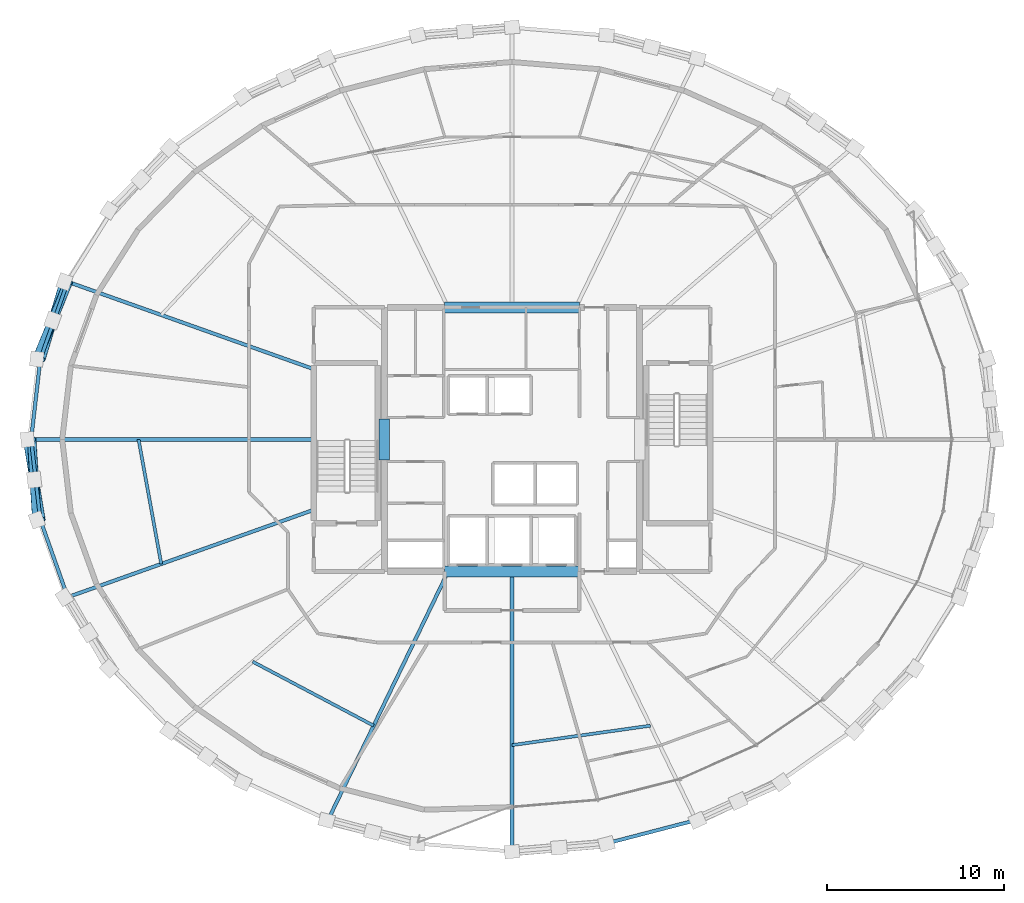
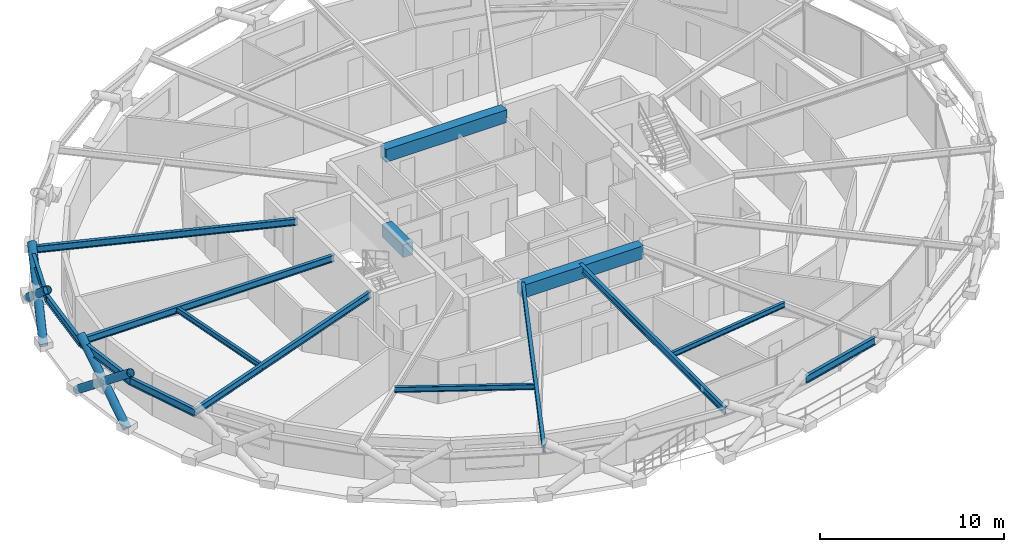
# One storey, part 3 of 16: 16 beams, 6 members.
"""IFC4 building model written with IfcOpenShell, lengths in metres."""

from ifc_helpers import new_model, si_unit, direction, frame, origin, origin_2d, place, context, subcontext, project, spatial, rectangle, hollow_circle, i_section, extrude, material, material_profile, profile_set, type_object, element, save


model = new_model("IFC4")

# Units and contexts
model_context = context("Model", 3, precision=1e-05, world=origin(), true_north=direction((0.0, 1.0)))
body_context = subcontext(model_context, "Body", "Model", "MODEL_VIEW")
ifc_project = project(units=[si_unit("LENGTHUNIT", "METRE"), si_unit("AREAUNIT", "SQUARE_METRE"), si_unit("VOLUMEUNIT", "CUBIC_METRE"), si_unit("PLANEANGLEUNIT", "RADIAN"), si_unit("MASSUNIT", "GRAM", prefix="KILO")], contexts=[model_context])

# Site, building, storey
site_placement = place(None, origin())
site = spatial("IfcSite", under=ifc_project, at=site_placement, CompositionType="ELEMENT")
building_placement = place(site_placement, origin())
building = spatial("IfcBuilding", under=site, at=building_placement, Name="Veldorina Hangang Commons", CompositionType="ELEMENT")
storey_placement = place(building_placement, frame((0.0, 0.0, 185.60009765625)))
storey = spatial("IfcBuildingStorey", under=building, at=storey_placement, Name="L48", CompositionType="ELEMENT", Elevation=185.60009765625)

# Beams
ifc_material_1 = material(Name="Concrete C60/75", Category="concrete")
ifc_material_profile_1 = material_profile(ifc_material_1, rectangle(XDim=0.60009765625, YDim=0.85009765625, at=origin_2d()), Name="RC-CB-600x850")
ifc_profile_set_1 = profile_set([ifc_material_profile_1], Name="Concrete C60/75")
beam_type_1 = type_object("IfcBeamType", Name="BM-CB850", PredefinedType="LINTEL", material=ifc_profile_set_1)
beam_1_placement = place(storey_placement, frame((24.800048828125, 22.85009765625, 2.9248046875), z_axis=(0.0, 1.0, 0.0), x_axis=(-1.0, 0.0, 0.0)))
element("IfcBeam", 1, at=beam_1_placement, inside=storey, type_object=beam_type_1, Name="L48 W core coupling lintel beam", PredefinedType="LINTEL", context=body_context, shape_type="SweptSolid", body=[
    extrude(rectangle(XDim=0.60009765625, YDim=0.85009765625, at=origin_2d()), origin(), (0.0, 0.0, 1.0), 2.2998046875),
])
for number, where, z_axis, x_axis, name in (
    (2, (28.199951171875, 16.550048828125, 2.9248046875), (1.0, 0.0, 0.0), (0.0, 1.0, 0.0), "L48 south core coupling beam"),
    (3, (28.199951171875, 31.449951171875, 2.9248046875), (1.0, 0.0, 0.0), (0.0, 1.0, 0.0), "L48 north core coupling beam"),
):
    element("IfcBeam", number, at=place(storey_placement, frame(where, z_axis=z_axis, x_axis=x_axis)), inside=storey, type_object=beam_type_1, Name=name, PredefinedType="LINTEL", context=body_context, shape_type="SweptSolid", body=[
        extrude(rectangle(XDim=0.60009765625, YDim=0.85009765625, at=origin_2d()), origin(), (0.0, 0.0, 1.0), 7.60009765625),
    ])
ifc_material_2 = material(Name="Steel SM355-TMC", Category="steel")
ifc_material_profile_2 = material_profile(ifc_material_2, i_section(OverallWidth=0.199951171875, OverallDepth=0.449951171875, WebThickness=0.009033203125, FlangeThickness=0.013916015625, FilletRadius=0.01611328125, at=origin_2d()), Name="H-450x200x9x14")
ifc_profile_set_2 = profile_set([ifc_material_profile_2], Name="Steel SM355-TMC")
beam_type_2 = type_object("IfcBeamType", Name="BM-FG450", PredefinedType="BEAM", material=ifc_profile_set_2)
beam_2_placement = place(storey_placement, frame((20.820068359375, 27.968017578125, 3.125), z_axis=(-0.942398107102, 0.334493359772, 0.0), x_axis=(-0.334493359772, -0.942398107102, 0.0)))
element("IfcBeam", 4, at=beam_2_placement, inside=storey, type_object=beam_type_2, Name="L48 radial floor girder 08", PredefinedType="BEAM", context=body_context, shape_type="SweptSolid", body=[
    extrude(i_section(OverallWidth=0.199951171875, OverallDepth=0.449951171875, WebThickness=0.009033203125, FlangeThickness=0.013916015625, FilletRadius=0.01611328125, at=origin_2d()), origin(), (0.0, 0.0, 1.0), 14.74072265625),
])
beam_3_placement = place(storey_placement, frame((20.820068359375, 24.0, 3.125), z_axis=(-1.0, 0.0, 0.0), x_axis=(0.0, -1.0, 0.0)))
element("IfcBeam", 5, at=beam_3_placement, inside=storey, type_object=beam_type_2, Name="L48 radial floor girder 09", PredefinedType="BEAM", context=body_context, shape_type="SweptSolid", body=[
    extrude(i_section(OverallWidth=0.199951171875, OverallDepth=0.449951171875, WebThickness=0.009033203125, FlangeThickness=0.013916015625, FilletRadius=0.01611328125, at=origin_2d()), origin(), (0.0, 0.0, 1.0), 15.957275390625),
])
beam_4_placement = place(storey_placement, frame((20.820068359375, 20.031982421875, 3.125), z_axis=(-0.942398107102, -0.334493359772, 0.0), x_axis=(0.334493359772, -0.942398107102, 0.0)))
element("IfcBeam", 6, at=beam_4_placement, inside=storey, type_object=beam_type_2, Name="L48 radial floor girder 10", PredefinedType="BEAM", context=body_context, shape_type="SweptSolid", body=[
    extrude(i_section(OverallWidth=0.199951171875, OverallDepth=0.449951171875, WebThickness=0.009033203125, FlangeThickness=0.013916015625, FilletRadius=0.01611328125, at=origin_2d()), origin(), (0.0, 0.0, 1.0), 14.74072265625),
])
beam_5_placement = place(storey_placement, frame((28.398681640625, 16.550048828125, 3.125), z_axis=(-0.435219448184, -0.900324403714, 0.0), x_axis=(0.900324403714, -0.435219448184, 0.0)))
element("IfcBeam", 7, at=beam_5_placement, inside=storey, type_object=beam_type_2, Name="L48 radial floor girder 12", PredefinedType="BEAM", context=body_context, shape_type="SweptSolid", body=[
    extrude(i_section(OverallWidth=0.199951171875, OverallDepth=0.449951171875, WebThickness=0.009033203125, FlangeThickness=0.013916015625, FilletRadius=0.01611328125, at=origin_2d()), origin(), (0.0, 0.0, 1.0), 15.5869140625),
])
beam_6_placement = place(storey_placement, frame((32.0, 16.550048828125, 3.125), z_axis=(0.0, -1.0, 0.0), x_axis=(1.0, 0.0, 0.0)))
element("IfcBeam", 8, at=beam_6_placement, inside=storey, type_object=beam_type_2, Name="L48 radial floor girder 13", PredefinedType="BEAM", context=body_context, shape_type="SweptSolid", body=[
    extrude(i_section(OverallWidth=0.199951171875, OverallDepth=0.449951171875, WebThickness=0.009033203125, FlangeThickness=0.013916015625, FilletRadius=0.01611328125, at=origin_2d()), origin(), (0.0, 0.0, 1.0), 15.80322265625),
])
ifc_material_profile_3 = material_profile(ifc_material_2, i_section(OverallWidth=0.175048828125, OverallDepth=0.35009765625, WebThickness=0.007080078125, FlangeThickness=0.010986328125, FilletRadius=0.012939453125, at=origin_2d()), Name="H-350x175x7x11")
ifc_profile_set_3 = profile_set([ifc_material_profile_3], Name="Steel SM355-TMC")
beam_type_3 = type_object("IfcBeamType", Name="BM-JST350", PredefinedType="JOIST", material=ifc_profile_set_3)
beam_7_placement = place(storey_placement, frame((10.926513671875, 24.0, 3.1748046875), z_axis=(0.179360795226, -0.983783362909, 0.0), x_axis=(0.983783362909, 0.179360795226, 0.0)))
element("IfcBeam", 9, at=beam_7_placement, inside=storey, type_object=beam_type_3, Name="L48 secondary floor joist 09", PredefinedType="JOIST", context=body_context, shape_type="SweptSolid", body=[
    extrude(i_section(OverallWidth=0.175048828125, OverallDepth=0.35009765625, WebThickness=0.007080078125, FlangeThickness=0.010986328125, FilletRadius=0.012939453125, at=origin_2d()), origin(), (0.0, 0.0, 1.0), 7.140625),
])
beam_8_placement = place(storey_placement, frame((17.36669921875, 11.461181640625, 3.1748046875), z_axis=(0.883897084995, -0.467681454772, 0.0), x_axis=(0.467681454772, 0.883897084995, 0.0)))
element("IfcBeam", 10, at=beam_8_placement, inside=storey, type_object=beam_type_3, Name="L48 secondary floor joist 11", PredefinedType="JOIST", context=body_context, shape_type="SweptSolid", body=[
    extrude(i_section(OverallWidth=0.175048828125, OverallDepth=0.35009765625, WebThickness=0.007080078125, FlangeThickness=0.010986328125, FilletRadius=0.012939453125, at=origin_2d()), origin(), (0.0, 0.0, 1.0), 7.722900390625),
])
beam_9_placement = place(storey_placement, frame((32.0, 6.751953125, 3.1748046875), z_axis=(0.990264717399, 0.139196944922, 0.0), x_axis=(-0.139196944922, 0.990264717399, 0.0)))
element("IfcBeam", 11, at=beam_9_placement, inside=storey, type_object=beam_type_3, Name="L48 secondary floor joist 13", PredefinedType="JOIST", context=body_context, shape_type="SweptSolid", body=[
    extrude(i_section(OverallWidth=0.175048828125, OverallDepth=0.35009765625, WebThickness=0.007080078125, FlangeThickness=0.010986328125, FilletRadius=0.012939453125, at=origin_2d()), origin(), (0.0, 0.0, 1.0), 7.8837890625),
])
ifc_material_3 = material(Name="Steel SM420-TMC", Category="steel")
ifc_material_profile_4 = material_profile(ifc_material_3, i_section(OverallWidth=0.199951171875, OverallDepth=0.5, WebThickness=0.010009765625, FlangeThickness=0.01611328125, FilletRadius=0.01611328125, at=origin_2d()), Name="H-500x200x10x16")
ifc_profile_set_4 = profile_set([ifc_material_profile_4], Name="Steel SM420-TMC")
beam_type_4 = type_object("IfcBeamType", Name="BM-RB500", PredefinedType="BEAM", material=ifc_profile_set_4)
beam_10_placement = place(storey_placement, frame((6.928466796875, 32.898681640625, 3.099853515625), z_axis=(-0.333741666567, -0.942664574489, 0.0), x_axis=(0.942664574489, -0.333741666567, 0.0)))
element("IfcBeam", 12, at=beam_10_placement, inside=storey, type_object=beam_type_4, Name="L48 perimeter hoop ring beam 14", PredefinedType="BEAM", context=body_context, shape_type="SweptSolid", body=[
    extrude(i_section(OverallWidth=0.199951171875, OverallDepth=0.5, WebThickness=0.010009765625, FlangeThickness=0.01611328125, FilletRadius=0.01611328125, at=origin_2d()), origin(), (0.0, 0.0, 1.0), 4.627685546875),
])
for number, where, z_axis, x_axis, name in (
    (13, (5.384033203125, 28.536376953125, 3.099853515625), (-0.114151247085, -0.993463382712, 0.0), (0.993463382712, -0.114151247085, 0.0), "L48 perimeter hoop ring beam 15"),
    (14, (4.86279296875, 24.0, 3.099853515625), (0.114151247085, -0.993463382712, 0.0), (0.993463382712, 0.114151247085, 0.0), "L48 perimeter hoop ring beam 16"),
):
    element("IfcBeam", number, at=place(storey_placement, frame(where, z_axis=z_axis, x_axis=x_axis)), inside=storey, type_object=beam_type_4, Name=name, PredefinedType="BEAM", context=body_context, shape_type="SweptSolid", body=[
        extrude(i_section(OverallWidth=0.199951171875, OverallDepth=0.5, WebThickness=0.010009765625, FlangeThickness=0.01611328125, FilletRadius=0.01611328125, at=origin_2d()), origin(), (0.0, 0.0, 1.0), 4.566162109375),
    ])
beam_11_placement = place(storey_placement, frame((5.384033203125, 19.463623046875, 3.099853515625), z_axis=(0.333741666567, -0.942664574489, 0.0), x_axis=(0.942664574489, 0.333741666567, 0.0)))
element("IfcBeam", 15, at=beam_11_placement, inside=storey, type_object=beam_type_4, Name="L48 perimeter hoop ring beam 17", PredefinedType="BEAM", context=body_context, shape_type="SweptSolid", body=[
    extrude(i_section(OverallWidth=0.199951171875, OverallDepth=0.5, WebThickness=0.010009765625, FlangeThickness=0.01611328125, FilletRadius=0.01611328125, at=origin_2d()), origin(), (0.0, 0.0, 1.0), 4.627685546875),
])
beam_12_placement = place(storey_placement, frame((37.294189453125, 1.193603515625, 3.099853515625), z_axis=(0.967839686151, 0.251567768029, 0.0), x_axis=(-0.251567768029, 0.967839686151, 0.0)))
element("IfcBeam", 16, at=beam_12_placement, inside=storey, type_object=beam_type_4, Name="L48 perimeter hoop ring beam 25", PredefinedType="BEAM", context=body_context, shape_type="SweptSolid", body=[
    extrude(i_section(OverallWidth=0.199951171875, OverallDepth=0.5, WebThickness=0.010009765625, FlangeThickness=0.01611328125, FilletRadius=0.01611328125, at=origin_2d()), origin(), (0.0, 0.0, 1.0), 5.260009765625),
])

# Members
ifc_material_profile_5 = material_profile(ifc_material_3, hollow_circle(Radius=0.25, WallThickness=0.02490234375, at=origin_2d()), Name="CHS-500x25")
ifc_profile_set_5 = profile_set([ifc_material_profile_5], Name="Steel SM420-TMC")
member_type = type_object("IfcMemberType", Name="DG-CHS500", PredefinedType="BRACE", material=ifc_profile_set_5)
member_1_placement = place(storey_placement, frame((6.738037109375, 32.902587890625, 0.0), z_axis=(-0.227367264487, -0.751379069726, 0.619462364166), x_axis=(0.957138654167, -0.289630103235, 0.0)))
element("IfcMember", 17, at=member_1_placement, inside=storey, type_object=member_type, Name="L48 continuous perimeter diagrid brace 14", PredefinedType="BRACE", context=body_context, shape_type="SweptSolid", body=[
    extrude(hollow_circle(Radius=0.25, WallThickness=0.02490234375, at=origin_2d()), origin(), (0.0, 0.0, 1.0), 5.811279296875),
])
member_2_placement = place(storey_placement, frame((5.181884765625, 28.53857421875, 0.0), z_axis=(0.301804645774, 0.734835861479, 0.607396256553), x_axis=(-0.925021119077, 0.379915687042, 0.0)))
element("IfcMember", 18, at=member_2_placement, inside=storey, type_object=member_type, Name="L48 split perimeter diagrid lower brace 15", PredefinedType="BRACE", context=body_context, shape_type="SweptSolid", body=[
    extrude(hollow_circle(Radius=0.25, WallThickness=0.02490234375, at=origin_2d()), origin(), (0.0, 0.0, 1.0), 2.965576171875),
])
member_3_placement = place(storey_placement, frame((6.076904296875, 30.7177734375, 1.80126953125), z_axis=(0.297922916137, 0.736355284004, 0.607472494653), x_axis=(-0.927001816733, 0.375056838058, 0.0)))
element("IfcMember", 19, at=member_3_placement, inside=storey, type_object=member_type, Name="L48 split perimeter diagrid upper brace 15", PredefinedType="BRACE", context=body_context, shape_type="SweptSolid", body=[
    extrude(hollow_circle(Radius=0.25, WallThickness=0.02490234375, at=origin_2d()), origin(), (0.0, 0.0, 1.0), 2.960693359375),
])
member_4_placement = place(storey_placement, frame((4.656494140625, 24.0, 0.0), z_axis=(0.130165518235, -0.776645898782, 0.616342506864), x_axis=(0.986244317062, 0.165294122892, 0.0)))
element("IfcMember", 20, at=member_4_placement, inside=storey, type_object=member_type, Name="L48 continuous perimeter diagrid brace 16", PredefinedType="BRACE", context=body_context, shape_type="SweptSolid", body=[
    extrude(hollow_circle(Radius=0.25, WallThickness=0.02490234375, at=origin_2d()), origin(), (0.0, 0.0, 1.0), 5.840576171875),
])
member_5_placement = place(storey_placement, frame((5.181884765625, 19.46142578125, 0.0), z_axis=(-0.049992337082, 0.7824558213, 0.620696104344), x_axis=(-0.997965160884, -0.063761568846, 0.0)))
element("IfcMember", 21, at=member_5_placement, inside=storey, type_object=member_type, Name="L48 split perimeter diagrid lower brace 17", PredefinedType="BRACE", context=body_context, shape_type="SweptSolid", body=[
    extrude(hollow_circle(Radius=0.25, WallThickness=0.02490234375, at=origin_2d()), origin(), (0.0, 0.0, 1.0), 2.90087890625),
])
member_6_placement = place(storey_placement, frame((5.036865234375, 21.731201171875, 1.800537109375), z_axis=(-0.04859049829, 0.782584923059, 0.620644666195), x_axis=(-0.998077987219, -0.061970407686, 0.0)))
element("IfcMember", 22, at=member_6_placement, inside=storey, type_object=member_type, Name="L48 split perimeter diagrid upper brace 17", PredefinedType="BRACE", context=body_context, shape_type="SweptSolid", body=[
    extrude(hollow_circle(Radius=0.25, WallThickness=0.02490234375, at=origin_2d()), origin(), (0.0, 0.0, 1.0), 2.899169921875),
])

save(model, "model.ifc")
